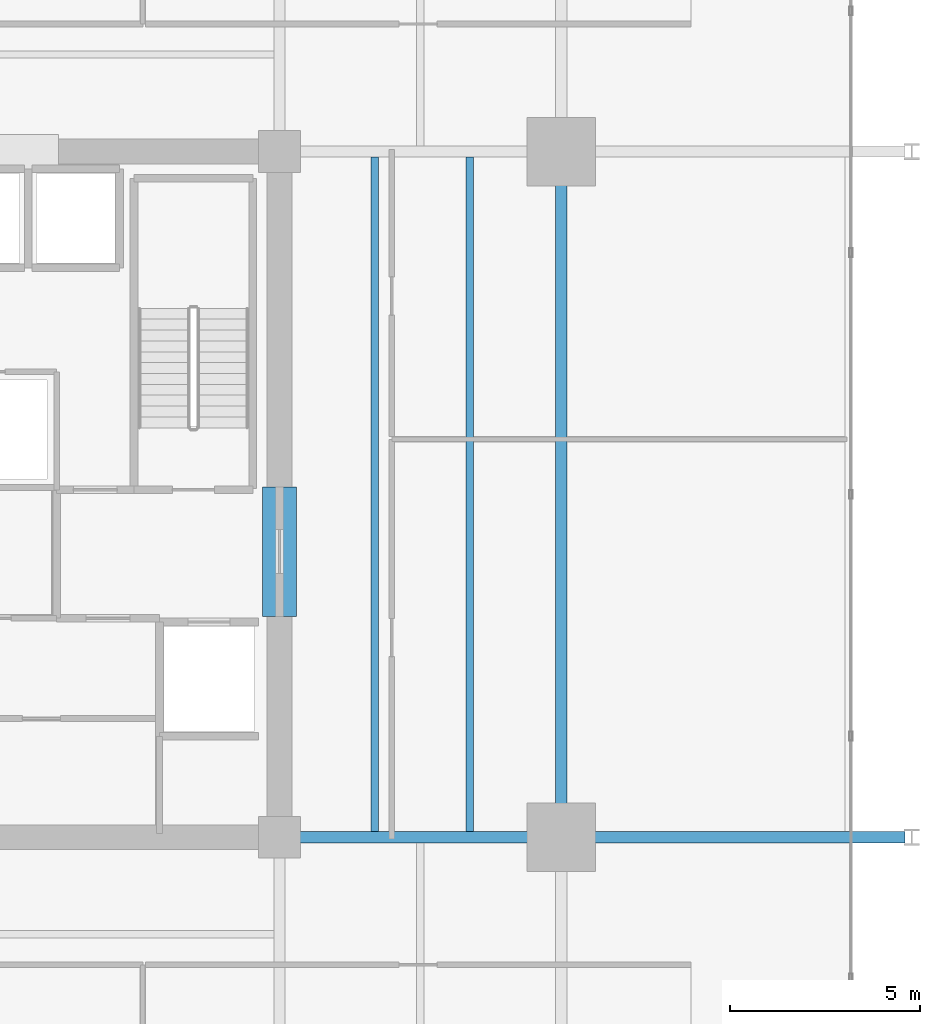
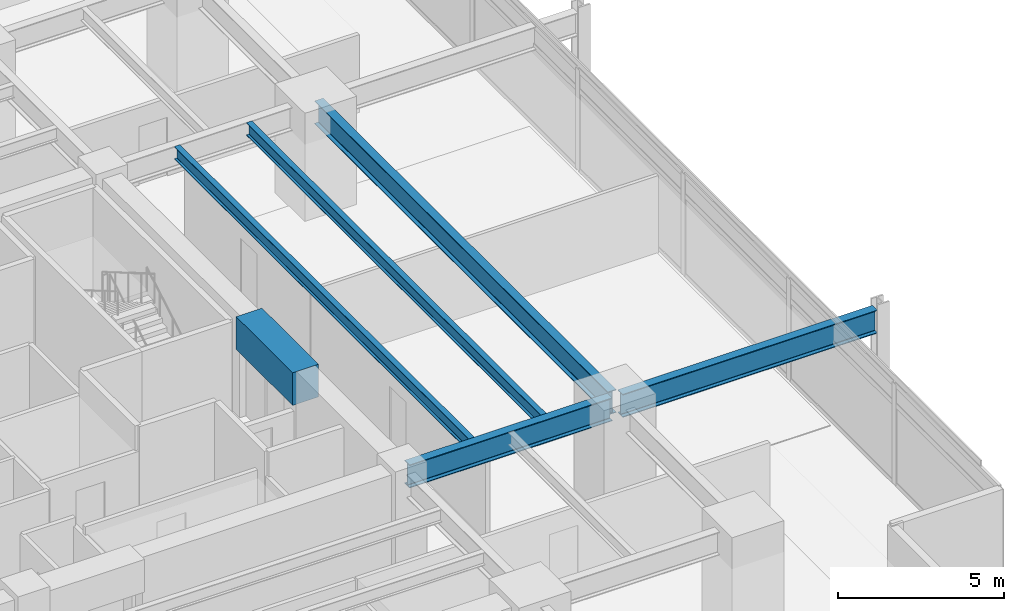
# One storey, part 9 of 25: 6 beams.
"""IFC4 building model written with IfcOpenShell, lengths in metres."""

from ifc_helpers import new_model, si_unit, direction, frame, origin, origin_2d, place, context, subcontext, project, spatial, rectangle, i_section, extrude, material, material_profile, profile_set, type_object, element, save


model = new_model("IFC4")

# Units and contexts
model_context = context("Model", 3, precision=1e-05, world=origin(), true_north=direction((0.0, 1.0)))
body_context = subcontext(model_context, "Body", "Model", "MODEL_VIEW")
ifc_project = project(units=[si_unit("LENGTHUNIT", "METRE"), si_unit("AREAUNIT", "SQUARE_METRE"), si_unit("VOLUMEUNIT", "CUBIC_METRE"), si_unit("PLANEANGLEUNIT", "RADIAN"), si_unit("MASSUNIT", "GRAM", prefix="KILO")], contexts=[model_context])

# Site, building, storey
site_placement = place(None, origin())
site = spatial("IfcSite", under=ifc_project, at=site_placement, CompositionType="ELEMENT")
building_placement = place(site_placement, origin())
building = spatial("IfcBuilding", under=site, at=building_placement, Name="Kovane Verandah Tower", CompositionType="ELEMENT")
storey_placement = place(building_placement, frame((0.0, 0.0, 67.60009765625)))
storey = spatial("IfcBuildingStorey", under=building, at=storey_placement, Name="L15", CompositionType="ELEMENT", Elevation=67.60009765625)

# Beams
ifc_material_1 = material(Name="Concrete C80/95", Category="concrete")
ifc_material_profile_1 = material_profile(ifc_material_1, rectangle(XDim=0.89990234375, YDim=1.199951171875, at=origin_2d()), Name="RCB900x1200")
ifc_profile_set_1 = profile_set([ifc_material_profile_1], Name="Concrete C80/95")
beam_type_1 = type_object("IfcBeamType", Name="BM-LINTEL-900x1200", PredefinedType="LINTEL", material=ifc_profile_set_1)
beam_1_placement = place(storey_placement, frame((51.0, 24.300048828125, 3.159912109375), z_axis=(0.0, 1.0, 0.0), x_axis=(-1.0, 0.0, 0.0)))
element("IfcBeam", 1, at=beam_1_placement, inside=storey, type_object=beam_type_1, Name="L15 Core Coupling Lintel CL-E", PredefinedType="LINTEL", context=body_context, shape_type="SweptSolid", body=[
    extrude(rectangle(XDim=0.89990234375, YDim=1.199951171875, at=origin_2d()), origin(), (0.0, 0.0, 1.0), 3.39990234375),
])
ifc_material_2 = material(Name="Steel S355", Category="steel")
ifc_material_profile_2 = material_profile(ifc_material_2, i_section(OverallWidth=0.293701171875, OverallDepth=0.850830078125, WebThickness=0.01611328125, FlangeThickness=0.02685546875, FilletRadius=0.017822265625, at=origin_2d()), Name="UB838x292x226")
ifc_profile_set_2 = profile_set([ifc_material_profile_2], Name="Steel S355")
beam_type_2 = type_object("IfcBeamType", Name="BM-UB838x226", PredefinedType="BEAM", material=ifc_profile_set_2)
beam_2_placement = place(storey_placement, frame((58.39990234375, 18.679931640625, 3.33447265625), z_axis=(0.0, 1.0, 0.0), x_axis=(-1.0, 0.0, 0.0)))
element("IfcBeam", 2, at=beam_2_placement, inside=storey, type_object=beam_type_2, Name="L15 Primary Tower Girder G-RE2", PredefinedType="BEAM", context=body_context, shape_type="SweptSolid", body=[
    extrude(i_section(OverallWidth=0.293701171875, OverallDepth=0.850830078125, WebThickness=0.01611328125, FlangeThickness=0.02685546875, FilletRadius=0.017822265625, at=origin_2d()), origin(), (0.0, 0.0, 1.0), 17.64013671875),
])
beam_3_placement = place(storey_placement, frame((51.179931640625, 18.5, 3.33447265625), z_axis=(1.0, 0.0, 0.0), x_axis=(0.0, 1.0, 0.0)))
element("IfcBeam", 3, at=beam_3_placement, inside=storey, type_object=beam_type_2, Name="L15 Primary Tower Girder G-E1", PredefinedType="BEAM", context=body_context, shape_type="SweptSolid", body=[
    extrude(i_section(OverallWidth=0.293701171875, OverallDepth=0.850830078125, WebThickness=0.01611328125, FlangeThickness=0.02685546875, FilletRadius=0.017822265625, at=origin_2d()), origin(), (0.0, 0.0, 1.0), 7.0400390625),
])
beam_4_placement = place(storey_placement, frame((58.580078125, 18.5, 3.33447265625), z_axis=(1.0, 0.0, 0.0), x_axis=(0.0, 1.0, 0.0)))
element("IfcBeam", 4, at=beam_4_placement, inside=storey, type_object=beam_type_2, Name="L15 Primary Tower Girder G-VE1", PredefinedType="BEAM", context=body_context, shape_type="SweptSolid", body=[
    extrude(i_section(OverallWidth=0.293701171875, OverallDepth=0.850830078125, WebThickness=0.01611328125, FlangeThickness=0.02685546875, FilletRadius=0.017822265625, at=origin_2d()), origin(), (0.0, 0.0, 1.0), 8.83984375),
])
ifc_material_profile_3 = material_profile(ifc_material_2, i_section(OverallWidth=0.19287109375, OverallDepth=0.46728515625, WebThickness=0.011474609375, FlangeThickness=0.01953125, FilletRadius=0.01025390625, at=origin_2d()), Name="UB457x191x98")
ifc_profile_set_3 = profile_set([ifc_material_profile_3], Name="Steel S355")
beam_type_3 = type_object("IfcBeamType", Name="JST-UB457x98", PredefinedType="JOIST", material=ifc_profile_set_3)
for number, where, z_axis, x_axis, name in (
    (5, (53.5, 18.64501953125, 3.5263671875), (0.0, 1.0, 0.0), (-1.0, 0.0, 0.0), "L15 Secondary Composite Joist J-E1"),
    (6, (56.0, 18.64501953125, 3.5263671875), (0.0, 1.0, 0.0), (-1.0, 0.0, 0.0), "L15 Secondary Composite Joist J-E2"),
):
    element("IfcBeam", number, at=place(storey_placement, frame(where, z_axis=z_axis, x_axis=x_axis)), inside=storey, type_object=beam_type_3, Name=name, PredefinedType="JOIST", context=body_context, shape_type="SweptSolid", body=[
        extrude(i_section(OverallWidth=0.19287109375, OverallDepth=0.46728515625, WebThickness=0.011474609375, FlangeThickness=0.01953125, FilletRadius=0.01025390625, at=origin_2d()), origin(), (0.0, 0.0, 1.0), 17.7099609375),
    ])

save(model, "model.ifc")
